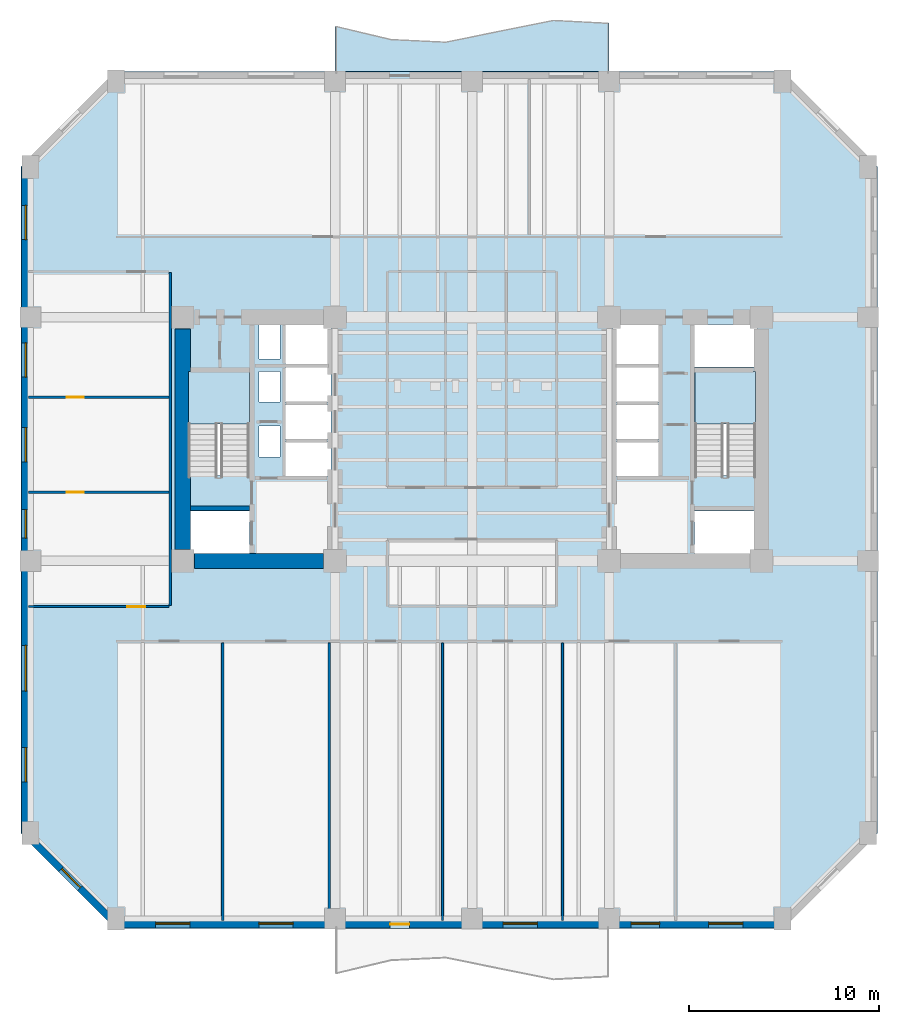
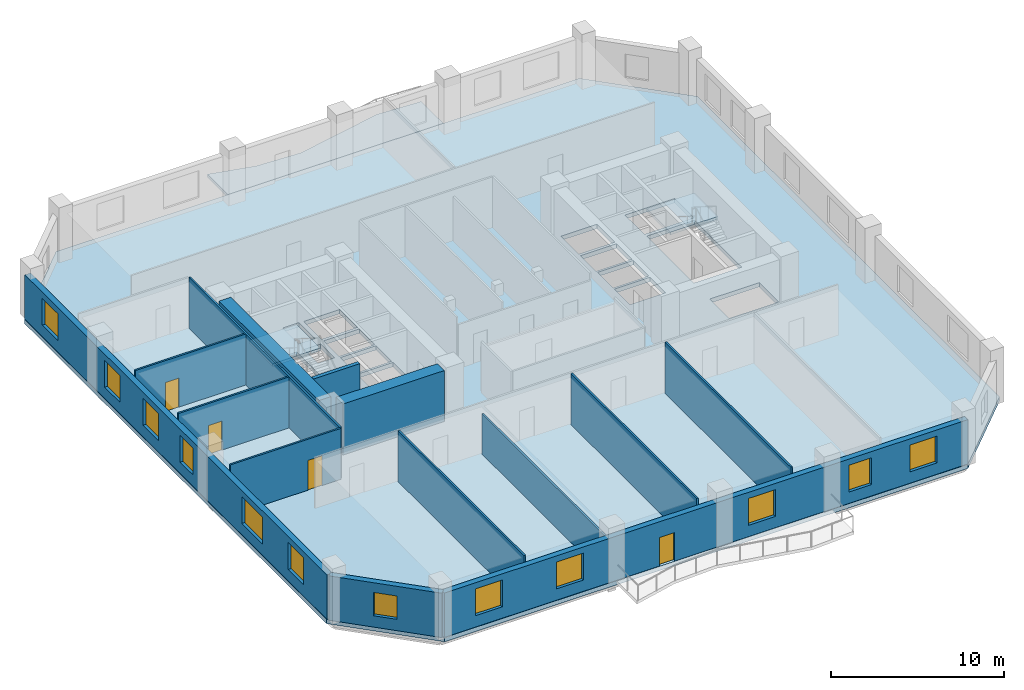
# One storey, part 2 of 10: 14 walls, 12 windows, 4 doors, 4 slabs, 16 openings, 2 elements without a shape of their own.
"""IFC4 building model written with IfcOpenShell, lengths in metres."""

from ifc_helpers import new_model, si_unit, direction, frame, frame_2d, origin, place, context, subcontext, project, spatial, polyline, rectangle, outline, extrude, material, layer, layer_set, type_object, element, fill, aggregate, save


model = new_model("IFC4")

# Units and contexts
model_context = context("Model", 3, precision=1e-05, world=origin(), true_north=direction((0.0, 1.0)))
body_context = subcontext(model_context, "Body", "Model", "MODEL_VIEW")
ifc_project = project(units=[si_unit("LENGTHUNIT", "METRE"), si_unit("AREAUNIT", "SQUARE_METRE"), si_unit("VOLUMEUNIT", "CUBIC_METRE"), si_unit("PLANEANGLEUNIT", "RADIAN"), si_unit("MASSUNIT", "GRAM", prefix="KILO")], contexts=[model_context])

# Site, building, storey
site_placement = place(None, origin())
site = spatial("IfcSite", under=ifc_project, at=site_placement, CompositionType="ELEMENT")
building_placement = place(site_placement, origin())
building = spatial("IfcBuilding", under=site, at=building_placement, Name="Kranthara Brick Stack", CompositionType="ELEMENT")
storey_placement = place(building_placement, frame((0.0, 0.0, 36.0)))
storey = spatial("IfcBuildingStorey", under=building, at=storey_placement, Name="L08", CompositionType="ELEMENT", Elevation=36.0)

# Slab
ifc_material_1 = material(Name="Concrete C45/55", Category="concrete")
ifc_layer_1 = layer(ifc_material_1, 0.219970703125)
ifc_layer_set_1 = layer_set([ifc_layer_1], Name="Concrete C45/55")
slab_type_1 = type_object("IfcSlabType", Name="SLB-BALC-220", PredefinedType="FLOOR", material=ifc_layer_set_1)
slab_1_placement = place(storey_placement, frame((0.0, 0.0, -0.219970703125)))
element("IfcSlab", 1, at=slab_1_placement, inside=storey, type_object=slab_type_1, Name="L08 North Rippling Balcony Slab", PredefinedType="FLOOR", context=body_context, shape_type="SweptSolid", body=[
    extrude(outline(polyline([(35.199951171875, 46.5), (20.800048828125, 46.5), (20.800048828125, 48.879150390625), (23.679931640625, 48.189208984375), (26.56005859375, 48.04736328125), (29.43994140625, 48.6318359375), (32.320068359375, 49.207763671875), (35.199951171875, 49.05078125), (35.199951171875, 46.5)])), origin(), (0.0, 0.0, 1.0), 0.219970703125),
])

# Stair, slab
ifc_material_2 = material(Name="Concrete C45/55", Category="concrete")
stair_type = type_object("IfcStairType", Name="ST-CORE-22R", PredefinedType="HALF_TURN_STAIR", material=ifc_material_2)
stair_1_placement = place(storey_placement, origin())
stair_1 = element("IfcStair", 2, at=stair_1_placement, inside=storey, type_object=stair_type, Name="L08 West Core Protected Exit Stair ST01", PredefinedType="HALF_TURN_STAIR")
ifc_material_3 = material(Name="Concrete C45/55", Category="concrete")
ifc_layer_2 = layer(ifc_material_3, 0.199951171875)
ifc_layer_set_2 = layer_set([ifc_layer_2], Name="Concrete C45/55")
slab_type_2 = type_object("IfcSlabType", Name="SLB-LANDING-200", PredefinedType="LANDING", material=ifc_layer_set_2)
slab_2_placement = place(storey_placement, frame((0.0, 0.0, 1.75)))
slab_2 = element("IfcSlab", 3, at=slab_2_placement, type_object=slab_type_2, Name="ST01 landing 1", PredefinedType="LANDING", context=body_context, shape_type="SweptSolid", body=[
    extrude(outline(polyline([(16.300048828125, 28.0), (16.300048828125, 30.75), (13.10009765625, 30.75), (13.10009765625, 28.0), (16.300048828125, 28.0)])), origin(), (0.0, 0.0, 1.0), 0.199951171875),
])
aggregate(stair_1, [slab_2])

stair_2_placement = place(storey_placement, origin())
stair_2 = element("IfcStair", 4, at=stair_2_placement, inside=storey, type_object=stair_type, Name="L08 East Core Protected Exit Stair ST02", PredefinedType="HALF_TURN_STAIR")
slab_3_placement = place(storey_placement, frame((0.0, 0.0, 1.75)))
slab_3 = element("IfcSlab", 5, at=slab_3_placement, type_object=slab_type_2, Name="ST02 landing 1", PredefinedType="LANDING", context=body_context, shape_type="SweptSolid", body=[
    extrude(outline(polyline([(42.89990234375, 28.0), (42.89990234375, 30.75), (39.699951171875, 30.75), (39.699951171875, 28.0), (42.89990234375, 28.0)])), origin(), (0.0, 0.0, 1.0), 0.199951171875),
])
aggregate(stair_2, [slab_3])

# Slab
ifc_material_4 = material(Name="Post-tensioned concrete C45/55", Category="concrete")
ifc_layer_3 = layer(ifc_material_4, 0.300048828125)
ifc_layer_set_3 = layer_set([ifc_layer_3], Name="Post-tensioned concrete C45/55")
slab_type_3 = type_object("IfcSlabType", Name="SLB-TWR-300", PredefinedType="FLOOR", material=ifc_layer_set_3)
slab_4_placement = place(storey_placement, frame((0.0, 0.0, -0.300048828125)))
element("IfcSlab", 6, at=slab_4_placement, inside=storey, type_object=slab_type_3, Name="L08 Structural Floor Plate", PredefinedType="FLOOR", context=body_context, shape_type="SweptSolid", body=[
    extrude(outline(polyline([(9.300048828125, 1.5), (44.300048828125, 1.5), (49.300048828125, 6.5), (49.300048828125, 41.5), (44.300048828125, 46.5), (9.300048828125, 46.5), (4.300048828125, 41.5), (4.300048828125, 6.5), (9.300048828125, 1.5)]), holes=[polyline([(13.10009765625, 25.280029296875), (16.300048828125, 25.280029296875), (16.300048828125, 30.75), (13.10009765625, 30.75), (13.10009765625, 25.280029296875)]), polyline([(39.699951171875, 25.280029296875), (42.89990234375, 25.280029296875), (42.89990234375, 30.75), (39.699951171875, 30.75), (39.699951171875, 25.280029296875)]), polyline([(13.0, 21.179931640625), (16.320068359375, 21.179931640625), (16.320068359375, 23.419921875), (13.0, 23.419921875), (13.0, 21.179931640625)]), polyline([(39.679931640625, 21.179931640625), (43.0, 21.179931640625), (43.0, 23.419921875), (39.679931640625, 23.419921875), (39.679931640625, 21.179931640625)]), polyline([(39.679931640625, 30.97998046875), (43.0, 30.97998046875), (43.0, 33.219970703125), (39.679931640625, 33.219970703125), (39.679931640625, 30.97998046875)]), polyline([(18.199951171875, 25.25), (20.60009765625, 25.25), (20.60009765625, 27.050048828125), (18.199951171875, 27.050048828125), (18.199951171875, 25.25)]), polyline([(18.199951171875, 27.199951171875), (20.60009765625, 27.199951171875), (20.60009765625, 29.0), (18.199951171875, 29.0), (18.199951171875, 27.199951171875)]), polyline([(18.199951171875, 29.14990234375), (20.60009765625, 29.14990234375), (20.60009765625, 30.949951171875), (18.199951171875, 30.949951171875), (18.199951171875, 29.14990234375)]), polyline([(35.39990234375, 25.25), (37.800048828125, 25.25), (37.800048828125, 27.050048828125), (35.39990234375, 27.050048828125), (35.39990234375, 25.25)]), polyline([(35.39990234375, 27.199951171875), (37.800048828125, 27.199951171875), (37.800048828125, 29.0), (35.39990234375, 29.0), (35.39990234375, 27.199951171875)]), polyline([(35.39990234375, 29.14990234375), (37.800048828125, 29.14990234375), (37.800048828125, 30.949951171875), (35.39990234375, 30.949951171875), (35.39990234375, 29.14990234375)]), polyline([(18.199951171875, 31.14990234375), (20.60009765625, 31.14990234375), (20.60009765625, 33.219970703125), (18.199951171875, 33.219970703125), (18.199951171875, 31.14990234375)]), polyline([(35.39990234375, 31.14990234375), (37.800048828125, 31.14990234375), (37.800048828125, 33.219970703125), (35.39990234375, 33.219970703125), (35.39990234375, 31.14990234375)]), polyline([(16.800048828125, 26.25), (17.89990234375, 26.25), (17.89990234375, 27.89990234375), (16.800048828125, 27.89990234375), (16.800048828125, 26.25)]), polyline([(16.800048828125, 29.14990234375), (17.89990234375, 29.14990234375), (17.89990234375, 30.75), (16.800048828125, 30.75), (16.800048828125, 29.14990234375)]), polyline([(16.800048828125, 31.39990234375), (17.89990234375, 31.39990234375), (17.89990234375, 33.25), (16.800048828125, 33.25), (16.800048828125, 31.39990234375)])]), origin(), (0.0, 0.0, 1.0), 0.300048828125),
])

# Wall, openings, door, windows
ifc_material_5 = material(Name="Kiln-fired clay brick masonry M15", Category="masonry")
ifc_layer_4 = layer(ifc_material_5, 0.3798828125)
ifc_layer_set_4 = layer_set([ifc_layer_4], Name="Kiln-fired clay brick masonry M15")
wall_type_1 = type_object("IfcWallType", Name="WL-BRK-PIER-380", PredefinedType="STANDARD", material=ifc_layer_set_4)
wall_1_placement = place(storey_placement, frame((44.300048828125, 1.7099609375, 0.0), z_axis=(0.0, 0.0, 1.0), x_axis=(-1.0, 0.0, 0.0)))
wall_1 = element("IfcWall", 7, at=wall_1_placement, inside=storey, type_object=wall_type_1, Name="L08 Exterior Brick Facade Wall SOUTH 1", PredefinedType="STANDARD", context=body_context, shape_type="SweptSolid", body=[
    extrude(rectangle(XDim=35.0, YDim=0.3798828125, at=frame_2d((17.5, 0.0))), origin(), (0.0, 0.0, 1.0), 3.135009765625),
])
opening_1_placement = place(wall_1_placement, frame((19.60009765625, 0.0, 0.0)))
opening_1 = element("IfcOpeningElement", 8, at=opening_1_placement, cuts=wall_1, Name="Opening D03", PredefinedType="OPENING", context=body_context, shape_type="SweptSolid", body=[
    extrude(rectangle(XDim=1.0, YDim=2.02001953125, at=frame_2d((0.5, 1.010009765625))), frame((0.0, 0.199951171875, 0.0), z_axis=(0.0, -1.0, 0.0), x_axis=(1.0, 0.0, 0.0)), (0.0, 0.0, 1.0), 0.39990234375),
])
opening_2_placement = place(wall_1_placement, frame((2.074951171875, 0.0, 0.800048828125)))
opening_2 = element("IfcOpeningElement", 9, at=opening_2_placement, cuts=wall_1, Name="Opening WN01", PredefinedType="OPENING", context=body_context, shape_type="SweptSolid", body=[
    extrude(rectangle(XDim=1.800048828125, YDim=1.89990234375, at=frame_2d((0.89990234375, 0.949951171875))), frame((0.0, 0.199951171875, 0.0), z_axis=(0.0, -1.0, 0.0), x_axis=(1.0, 0.0, 0.0)), (0.0, 0.0, 1.0), 0.39990234375),
])
opening_3_placement = place(wall_1_placement, frame((6.449951171875, 0.0, 0.800048828125)))
opening_3 = element("IfcOpeningElement", 10, at=opening_3_placement, cuts=wall_1, Name="Opening WN03", PredefinedType="OPENING", context=body_context, shape_type="SweptSolid", body=[
    extrude(rectangle(XDim=1.5, YDim=1.89990234375, at=frame_2d((0.75, 0.949951171875))), frame((0.0, 0.199951171875, 0.0), z_axis=(0.0, -1.0, 0.0), x_axis=(1.0, 0.0, 0.0)), (0.0, 0.0, 1.0), 0.39990234375),
])
opening_4_placement = place(wall_1_placement, frame((12.875, 0.0, 0.800048828125)))
opening_4 = element("IfcOpeningElement", 11, at=opening_4_placement, cuts=wall_1, Name="Opening WN01", PredefinedType="OPENING", context=body_context, shape_type="SweptSolid", body=[
    extrude(rectangle(XDim=1.800048828125, YDim=1.89990234375, at=frame_2d((0.89990234375, 0.949951171875))), frame((0.0, 0.199951171875, 0.0), z_axis=(0.0, -1.0, 0.0), x_axis=(1.0, 0.0, 0.0)), (0.0, 0.0, 1.0), 0.39990234375),
])
opening_5_placement = place(wall_1_placement, frame((25.699951171875, 0.0, 0.800048828125)))
opening_5 = element("IfcOpeningElement", 12, at=opening_5_placement, cuts=wall_1, Name="Opening WN01", PredefinedType="OPENING", context=body_context, shape_type="SweptSolid", body=[
    extrude(rectangle(XDim=1.800048828125, YDim=1.89990234375, at=frame_2d((0.89990234375, 0.949951171875))), frame((0.0, 0.199951171875, 0.0), z_axis=(0.0, -1.0, 0.0), x_axis=(1.0, 0.0, 0.0)), (0.0, 0.0, 1.0), 0.39990234375),
])
opening_6_placement = place(wall_1_placement, frame((31.125, 0.0, 0.800048828125)))
opening_6 = element("IfcOpeningElement", 13, at=opening_6_placement, cuts=wall_1, Name="Opening WN01", PredefinedType="OPENING", context=body_context, shape_type="SweptSolid", body=[
    extrude(rectangle(XDim=1.800048828125, YDim=1.89990234375, at=frame_2d((0.89990234375, 0.949951171875))), frame((0.0, 0.199951171875, 0.0), z_axis=(0.0, -1.0, 0.0), x_axis=(1.0, 0.0, 0.0)), (0.0, 0.0, 1.0), 0.39990234375),
])
ifc_material_6 = material(Name="Bronze anodised aluminium and laminated glass", Category="aluminium")
door_type_1 = type_object("IfcDoorType", Name="DR-BALC-1000", OperationType="NOTDEFINED", PredefinedType="DOOR", material=ifc_material_6)
door_1_placement = place(opening_1_placement, origin())
door_1 = element("IfcDoor", 14, at=door_1_placement, inside=storey, type_object=door_type_1, Name="L08 South Balcony Terrace Door", OperationType="SINGLE_SWING_LEFT", OverallHeight=2.02001953125, OverallWidth=1.0, PredefinedType="DOOR", context=body_context, shape_type="SweptSolid", body=[
    extrude(rectangle(XDim=1.0, YDim=2.02001953125, at=frame_2d((0.5, 1.010009765625))), frame((0.0, 0.02490234375, 0.0), z_axis=(0.0, -1.0, 0.0), x_axis=(1.0, 0.0, 0.0)), (0.0, 0.0, 1.0), 0.050048828125),
])
fill(opening_1, door_1)
ifc_material_7 = material(Name="Double-glazed low-E solar control glass", Category="glass")
window_type_1 = type_object("IfcWindowType", Name="WN-OFF-1500x2000", PartitioningType="SINGLE_PANEL", PredefinedType="WINDOW", material=ifc_material_7)
window_1_placement = place(opening_3_placement, origin())
window_1 = element("IfcWindow", 15, at=window_1_placement, inside=storey, type_object=window_type_1, Name="L08 South Deep-Set Brick Window 02", OverallHeight=1.89990234375, OverallWidth=1.5, PartitioningType="SINGLE_PANEL", PredefinedType="WINDOW", context=body_context, shape_type="SweptSolid", body=[
    extrude(rectangle(XDim=1.5, YDim=1.89990234375, at=frame_2d((0.75, 0.949951171875))), frame((0.0, -0.010009765625, 0.0), z_axis=(0.0, -1.0, 0.0), x_axis=(1.0, 0.0, 0.0)), (0.0, 0.0, 1.0), 0.06005859375),
])
fill(opening_3, window_1)
ifc_material_8 = material(Name="Double-glazed low-E solar control glass", Category="glass")
window_type_2 = type_object("IfcWindowType", Name="WN-OFF-1800x2000", PartitioningType="SINGLE_PANEL", PredefinedType="WINDOW", material=ifc_material_8)
window_2_placement = place(opening_2_placement, origin())
window_2 = element("IfcWindow", 16, at=window_2_placement, inside=storey, type_object=window_type_2, Name="L08 South Deep-Set Brick Window 01", OverallHeight=1.89990234375, OverallWidth=1.800048828125, PartitioningType="SINGLE_PANEL", PredefinedType="WINDOW", context=body_context, shape_type="SweptSolid", body=[
    extrude(rectangle(XDim=1.800048828125, YDim=1.89990234375, at=frame_2d((0.89990234375, 0.949951171875))), frame((0.0, -0.010009765625, 0.0), z_axis=(0.0, -1.0, 0.0), x_axis=(1.0, 0.0, 0.0)), (0.0, 0.0, 1.0), 0.06005859375),
])
fill(opening_2, window_2)
window_3_placement = place(opening_4_placement, origin())
window_3 = element("IfcWindow", 17, at=window_3_placement, inside=storey, type_object=window_type_2, Name="L08 South Deep-Set Brick Window 03", OverallHeight=1.89990234375, OverallWidth=1.800048828125, PartitioningType="SINGLE_PANEL", PredefinedType="WINDOW", context=body_context, shape_type="SweptSolid", body=[
    extrude(rectangle(XDim=1.800048828125, YDim=1.89990234375, at=frame_2d((0.89990234375, 0.949951171875))), frame((0.0, -0.010009765625, 0.0), z_axis=(0.0, -1.0, 0.0), x_axis=(1.0, 0.0, 0.0)), (0.0, 0.0, 1.0), 0.06005859375),
])
fill(opening_4, window_3)
window_4_placement = place(opening_5_placement, origin())
window_4 = element("IfcWindow", 18, at=window_4_placement, inside=storey, type_object=window_type_2, Name="L08 South Deep-Set Brick Window 04", OverallHeight=1.89990234375, OverallWidth=1.800048828125, PartitioningType="SINGLE_PANEL", PredefinedType="WINDOW", context=body_context, shape_type="SweptSolid", body=[
    extrude(rectangle(XDim=1.800048828125, YDim=1.89990234375, at=frame_2d((0.89990234375, 0.949951171875))), frame((0.0, -0.010009765625, 0.0), z_axis=(0.0, -1.0, 0.0), x_axis=(1.0, 0.0, 0.0)), (0.0, 0.0, 1.0), 0.06005859375),
])
fill(opening_5, window_4)
window_5_placement = place(opening_6_placement, origin())
window_5 = element("IfcWindow", 19, at=window_5_placement, inside=storey, type_object=window_type_2, Name="L08 South Deep-Set Brick Window 05", OverallHeight=1.89990234375, OverallWidth=1.800048828125, PartitioningType="SINGLE_PANEL", PredefinedType="WINDOW", context=body_context, shape_type="SweptSolid", body=[
    extrude(rectangle(XDim=1.800048828125, YDim=1.89990234375, at=frame_2d((0.89990234375, 0.949951171875))), frame((0.0, -0.010009765625, 0.0), z_axis=(0.0, -1.0, 0.0), x_axis=(1.0, 0.0, 0.0)), (0.0, 0.0, 1.0), 0.06005859375),
])
fill(opening_6, window_5)

# Wall, opening, window
wall_2_placement = place(storey_placement, frame((9.300048828125, 1.7099609375, 0.0), z_axis=(0.0, 0.0, 1.0), x_axis=(-0.707106781187, 0.707106781187, 0.0)))
wall_2 = element("IfcWall", 20, at=wall_2_placement, inside=storey, type_object=wall_type_1, Name="L08 Exterior Brick Facade Wall SW 1", PredefinedType="STANDARD", context=body_context, shape_type="SweptSolid", body=[
    extrude(rectangle(XDim=6.774169921875, YDim=0.3798828125, at=frame_2d((3.38720703125, 0.0))), origin(), (0.0, 0.0, 1.0), 3.135009765625),
])
opening_7_placement = place(wall_2_placement, frame((2.68701171875, 0.0, 0.800048828125)))
opening_7 = element("IfcOpeningElement", 21, at=opening_7_placement, cuts=wall_2, Name="Opening WN10", PredefinedType="OPENING", context=body_context, shape_type="SweptSolid", body=[
    extrude(rectangle(XDim=1.39990234375, YDim=1.64990234375, at=frame_2d((0.699951171875, 0.824951171875))), frame((0.0, 0.199951171875, 0.0), z_axis=(0.0, -1.0, 0.0), x_axis=(1.0, 0.0, 0.0)), (0.0, 0.0, 1.0), 0.39990234375),
])
ifc_material_9 = material(Name="Double-glazed low-E solar control glass", Category="glass")
window_type_3 = type_object("IfcWindowType", Name="WN-CHM-1400x1750", PartitioningType="SINGLE_PANEL", PredefinedType="WINDOW", material=ifc_material_9)
window_6_placement = place(opening_7_placement, origin())
window_6 = element("IfcWindow", 22, at=window_6_placement, inside=storey, type_object=window_type_3, Name="L08 SW Chamfer Corner Window", OverallHeight=1.64990234375, OverallWidth=1.39990234375, PartitioningType="SINGLE_PANEL", PredefinedType="WINDOW", context=body_context, shape_type="SweptSolid", body=[
    extrude(rectangle(XDim=1.39990234375, YDim=1.64990234375, at=frame_2d((0.699951171875, 0.824951171875))), frame((0.0, -0.010009765625, 0.0), z_axis=(0.0, -1.0, 0.0), x_axis=(1.0, 0.0, 0.0)), (0.0, 0.0, 1.0), 0.06005859375),
])
fill(opening_7, window_6)

# Wall, openings, windows
wall_3_placement = place(storey_placement, frame((4.510009765625, 6.5, 0.0), z_axis=(0.0, 0.0, 1.0), x_axis=(0.0, 1.0, 0.0)))
wall_3 = element("IfcWall", 23, at=wall_3_placement, inside=storey, type_object=wall_type_1, Name="L08 Exterior Brick Facade Wall WEST 1", PredefinedType="STANDARD", context=body_context, shape_type="SweptSolid", body=[
    extrude(rectangle(XDim=35.0, YDim=0.3798828125, at=frame_2d((17.5, 0.0))), origin(), (0.0, 0.0, 1.0), 3.135009765625),
])
opening_8_placement = place(wall_3_placement, frame((2.693115234375, 0.0, 0.800048828125)))
opening_8 = element("IfcOpeningElement", 24, at=opening_8_placement, cuts=wall_3, Name="Opening WN01", PredefinedType="OPENING", context=body_context, shape_type="SweptSolid", body=[
    extrude(rectangle(XDim=1.800048828125, YDim=1.89990234375, at=frame_2d((0.89990234375, 0.949951171875))), frame((0.0, 0.199951171875, 0.0), z_axis=(0.0, -1.0, 0.0), x_axis=(1.0, 0.0, 0.0)), (0.0, 0.0, 1.0), 0.39990234375),
])
opening_9_placement = place(wall_3_placement, frame((7.45703125, 0.0, 0.800048828125)))
opening_9 = element("IfcOpeningElement", 25, at=opening_9_placement, cuts=wall_3, Name="Opening WN02", PredefinedType="OPENING", context=body_context, shape_type="SweptSolid", body=[
    extrude(rectangle(XDim=2.39990234375, YDim=1.89990234375, at=frame_2d((1.199951171875, 0.949951171875))), frame((0.0, 0.199951171875, 0.0), z_axis=(0.0, -1.0, 0.0), x_axis=(1.0, 0.0, 0.0)), (0.0, 0.0, 1.0), 0.39990234375),
])
opening_10_placement = place(wall_3_placement, frame((15.5, 0.0, 0.800048828125)))
opening_10 = element("IfcOpeningElement", 26, at=opening_10_placement, cuts=wall_3, Name="Opening WN03", PredefinedType="OPENING", context=body_context, shape_type="SweptSolid", body=[
    extrude(rectangle(XDim=1.5, YDim=1.89990234375, at=frame_2d((0.75, 0.949951171875))), frame((0.0, 0.199951171875, 0.0), z_axis=(0.0, -1.0, 0.0), x_axis=(1.0, 0.0, 0.0)), (0.0, 0.0, 1.0), 0.39990234375),
])
opening_11_placement = place(wall_3_placement, frame((19.5, 0.0, 0.800048828125)))
opening_11 = element("IfcOpeningElement", 27, at=opening_11_placement, cuts=wall_3, Name="Opening WN01", PredefinedType="OPENING", context=body_context, shape_type="SweptSolid", body=[
    extrude(rectangle(XDim=1.800048828125, YDim=1.89990234375, at=frame_2d((0.89990234375, 0.949951171875))), frame((0.0, 0.199951171875, 0.0), z_axis=(0.0, -1.0, 0.0), x_axis=(1.0, 0.0, 0.0)), (0.0, 0.0, 1.0), 0.39990234375),
])
opening_12_placement = place(wall_3_placement, frame((23.949951171875, 0.0, 0.800048828125)))
opening_12 = element("IfcOpeningElement", 28, at=opening_12_placement, cuts=wall_3, Name="Opening WN01", PredefinedType="OPENING", context=body_context, shape_type="SweptSolid", body=[
    extrude(rectangle(XDim=1.800048828125, YDim=1.89990234375, at=frame_2d((0.89990234375, 0.949951171875))), frame((0.0, 0.199951171875, 0.0), z_axis=(0.0, -1.0, 0.0), x_axis=(1.0, 0.0, 0.0)), (0.0, 0.0, 1.0), 0.39990234375),
])
opening_13_placement = place(wall_3_placement, frame((31.175048828125, 0.0, 0.800048828125)))
opening_13 = element("IfcOpeningElement", 29, at=opening_13_placement, cuts=wall_3, Name="Opening WN01", PredefinedType="OPENING", context=body_context, shape_type="SweptSolid", body=[
    extrude(rectangle(XDim=1.800048828125, YDim=1.89990234375, at=frame_2d((0.89990234375, 0.949951171875))), frame((0.0, 0.199951171875, 0.0), z_axis=(0.0, -1.0, 0.0), x_axis=(1.0, 0.0, 0.0)), (0.0, 0.0, 1.0), 0.39990234375),
])
window_7_placement = place(opening_10_placement, origin())
window_7 = element("IfcWindow", 30, at=window_7_placement, inside=storey, type_object=window_type_1, Name="L08 West Deep-Set Brick Window 03", OverallHeight=1.89990234375, OverallWidth=1.5, PartitioningType="SINGLE_PANEL", PredefinedType="WINDOW", context=body_context, shape_type="SweptSolid", body=[
    extrude(rectangle(XDim=1.5, YDim=1.89990234375, at=frame_2d((0.75, 0.949951171875))), frame((0.0, -0.010009765625, 0.0), z_axis=(0.0, -1.0, 0.0), x_axis=(1.0, 0.0, 0.0)), (0.0, 0.0, 1.0), 0.06005859375),
])
fill(opening_10, window_7)
window_8_placement = place(opening_8_placement, origin())
window_8 = element("IfcWindow", 31, at=window_8_placement, inside=storey, type_object=window_type_2, Name="L08 West Deep-Set Brick Window 01", OverallHeight=1.89990234375, OverallWidth=1.800048828125, PartitioningType="SINGLE_PANEL", PredefinedType="WINDOW", context=body_context, shape_type="SweptSolid", body=[
    extrude(rectangle(XDim=1.800048828125, YDim=1.89990234375, at=frame_2d((0.89990234375, 0.949951171875))), frame((0.0, -0.010009765625, 0.0), z_axis=(0.0, -1.0, 0.0), x_axis=(1.0, 0.0, 0.0)), (0.0, 0.0, 1.0), 0.06005859375),
])
fill(opening_8, window_8)
window_9_placement = place(opening_11_placement, origin())
window_9 = element("IfcWindow", 32, at=window_9_placement, inside=storey, type_object=window_type_2, Name="L08 West Deep-Set Brick Window 04", OverallHeight=1.89990234375, OverallWidth=1.800048828125, PartitioningType="SINGLE_PANEL", PredefinedType="WINDOW", context=body_context, shape_type="SweptSolid", body=[
    extrude(rectangle(XDim=1.800048828125, YDim=1.89990234375, at=frame_2d((0.89990234375, 0.949951171875))), frame((0.0, -0.010009765625, 0.0), z_axis=(0.0, -1.0, 0.0), x_axis=(1.0, 0.0, 0.0)), (0.0, 0.0, 1.0), 0.06005859375),
])
fill(opening_11, window_9)
window_10_placement = place(opening_12_placement, origin())
window_10 = element("IfcWindow", 33, at=window_10_placement, inside=storey, type_object=window_type_2, Name="L08 West Deep-Set Brick Window 05", OverallHeight=1.89990234375, OverallWidth=1.800048828125, PartitioningType="SINGLE_PANEL", PredefinedType="WINDOW", context=body_context, shape_type="SweptSolid", body=[
    extrude(rectangle(XDim=1.800048828125, YDim=1.89990234375, at=frame_2d((0.89990234375, 0.949951171875))), frame((0.0, -0.010009765625, 0.0), z_axis=(0.0, -1.0, 0.0), x_axis=(1.0, 0.0, 0.0)), (0.0, 0.0, 1.0), 0.06005859375),
])
fill(opening_12, window_10)
window_11_placement = place(opening_13_placement, origin())
window_11 = element("IfcWindow", 34, at=window_11_placement, inside=storey, type_object=window_type_2, Name="L08 West Deep-Set Brick Window 06", OverallHeight=1.89990234375, OverallWidth=1.800048828125, PartitioningType="SINGLE_PANEL", PredefinedType="WINDOW", context=body_context, shape_type="SweptSolid", body=[
    extrude(rectangle(XDim=1.800048828125, YDim=1.89990234375, at=frame_2d((0.89990234375, 0.949951171875))), frame((0.0, -0.010009765625, 0.0), z_axis=(0.0, -1.0, 0.0), x_axis=(1.0, 0.0, 0.0)), (0.0, 0.0, 1.0), 0.06005859375),
])
fill(opening_13, window_11)
ifc_material_10 = material(Name="Double-glazed low-E solar control glass", Category="glass")
window_type_4 = type_object("IfcWindowType", Name="WN-OFF-2400x2000", PartitioningType="DOUBLE_PANEL_VERTICAL", PredefinedType="WINDOW", material=ifc_material_10)
window_12_placement = place(opening_9_placement, origin())
window_12 = element("IfcWindow", 35, at=window_12_placement, inside=storey, type_object=window_type_4, Name="L08 West Deep-Set Brick Window 02", OverallHeight=1.89990234375, OverallWidth=2.39990234375, PartitioningType="SINGLE_PANEL", PredefinedType="WINDOW", context=body_context, shape_type="SweptSolid", body=[
    extrude(rectangle(XDim=2.39990234375, YDim=1.89990234375, at=frame_2d((1.199951171875, 0.949951171875))), frame((0.0, -0.010009765625, 0.0), z_axis=(0.0, -1.0, 0.0), x_axis=(1.0, 0.0, 0.0)), (0.0, 0.0, 1.0), 0.06005859375),
])
fill(opening_9, window_12)

# Walls
ifc_material_11 = material(Name="Concrete C50/60", Category="concrete")
ifc_layer_5 = layer(ifc_material_11, 0.25)
ifc_layer_set_5 = layer_set([ifc_layer_5], Name="Concrete C50/60")
wall_type_2 = type_object("IfcWallType", Name="WL-CORE-250", PredefinedType="SHEAR", material=ifc_layer_set_5)
wall_4_placement = place(storey_placement, frame((13.2099609375, 23.570068359375, 0.0), z_axis=(0.0, 0.0, 1.0), x_axis=(1.0, 0.0, 0.0)))
element("IfcWall", 36, at=wall_4_placement, inside=storey, type_object=wall_type_2, Name="L08 West Stairwell Bearing Wall WFF", PredefinedType="SHEAR", context=body_context, shape_type="SweptSolid", body=[
    extrude(rectangle(XDim=3.10009765625, YDim=0.25, at=frame_2d((1.550048828125, 0.0))), origin(), (0.0, 0.0, 1.0), 3.60009765625),
])
ifc_material_12 = material(Name="Concrete C70/85", Category="concrete")
ifc_layer_6 = layer(ifc_material_12, 0.800048828125)
ifc_layer_set_6 = layer_set([ifc_layer_6], Name="Concrete C70/85")
wall_type_3 = type_object("IfcWallType", Name="WL-CORE-800", PredefinedType="SHEAR", material=ifc_layer_set_6)
wall_5_placement = place(storey_placement, frame((12.800048828125, 21.405029296875, 0.0), z_axis=(0.0, 0.0, 1.0), x_axis=(0.0, 1.0, 0.0)))
element("IfcWall", 37, at=wall_5_placement, inside=storey, type_object=wall_type_3, Name="L08 West Core Shear Wall West", PredefinedType="SHEAR", context=body_context, shape_type="SweptSolid", body=[
    extrude(rectangle(XDim=11.590087890625, YDim=0.800048828125, at=frame_2d((5.794921875, 0.0))), origin(), (0.0, 0.0, 1.0), 3.60009765625),
])
wall_6_placement = place(storey_placement, frame((13.405029296875, 20.800048828125, 0.0), z_axis=(0.0, 0.0, 1.0), x_axis=(1.0, 0.0, 0.0)))
element("IfcWall", 38, at=wall_6_placement, inside=storey, type_object=wall_type_3, Name="L08 West Core Shear Wall South", PredefinedType="SHEAR", context=body_context, shape_type="SweptSolid", body=[
    extrude(rectangle(XDim=6.7900390625, YDim=0.800048828125, at=frame_2d((3.39501953125, 0.0))), origin(), (0.0, 0.0, 1.0), 3.60009765625),
])
ifc_material_13 = material(Name="Acoustic gypsum plasterboard partition", Category="other")
ifc_layer_7 = layer(ifc_material_13, 0.1201171875)
ifc_layer_set_7 = layer_set([ifc_layer_7], Name="Acoustic gypsum plasterboard partition")
wall_type_4 = type_object("IfcWallType", Name="WL-PART-120", PredefinedType="PARTITIONING", material=ifc_layer_set_7)
wall_7_placement = place(storey_placement, frame((14.89990234375, 1.905029296875, 0.0), z_axis=(0.0, 0.0, 1.0), x_axis=(0.0, 1.0, 0.0)))
element("IfcWall", 39, at=wall_7_placement, inside=storey, type_object=wall_type_4, Name="L08 Interior Partition 016", PredefinedType="PARTITIONING", context=body_context, shape_type="SweptSolid", body=[
    extrude(rectangle(XDim=14.574951171875, YDim=0.1201171875, at=frame_2d((7.28759765625, 0.0))), origin(), (0.0, 0.0, 1.0), 3.60009765625),
])
wall_8_placement = place(storey_placement, frame((20.5, 1.905029296875, 0.0), z_axis=(0.0, 0.0, 1.0), x_axis=(0.0, 1.0, 0.0)))
element("IfcWall", 40, at=wall_8_placement, inside=storey, type_object=wall_type_4, Name="L08 Interior Partition 017", PredefinedType="PARTITIONING", context=body_context, shape_type="SweptSolid", body=[
    extrude(rectangle(XDim=14.574951171875, YDim=0.1201171875, at=frame_2d((7.28759765625, 0.0))), origin(), (0.0, 0.0, 1.0), 2.8349609375),
])
for number, where, z_axis, x_axis, name in (
    (41, (26.449951171875, 1.905029296875, 0.0), (0.0, 0.0, 1.0), (0.0, 1.0, 0.0), "L08 Interior Partition 018"),
    (42, (32.75, 1.905029296875, 0.0), (0.0, 0.0, 1.0), (0.0, 1.0, 0.0), "L08 Interior Partition 019"),
):
    element("IfcWall", number, at=place(storey_placement, frame(where, z_axis=z_axis, x_axis=x_axis)), inside=storey, type_object=wall_type_4, Name=name, PredefinedType="PARTITIONING", context=body_context, shape_type="SweptSolid", body=[
        extrude(rectangle(XDim=14.574951171875, YDim=0.1201171875, at=frame_2d((7.28759765625, 0.0))), origin(), (0.0, 0.0, 1.0), 3.60009765625),
    ])
wall_9_placement = place(storey_placement, frame((12.14990234375, 18.449951171875, 0.0), z_axis=(0.0, 0.0, 1.0), x_axis=(0.0, 1.0, 0.0)))
element("IfcWall", 43, at=wall_9_placement, inside=storey, type_object=wall_type_4, Name="L08 Interior Partition 023", PredefinedType="PARTITIONING", context=body_context, shape_type="SweptSolid", body=[
    extrude(rectangle(XDim=17.5, YDim=0.1201171875, at=frame_2d((8.75, 0.0))), origin(), (0.0, 0.0, 1.0), 3.60009765625),
])

# Wall, opening, door
wall_10_placement = place(storey_placement, frame((4.705078125, 18.39990234375, 0.0), z_axis=(0.0, 0.0, 1.0), x_axis=(1.0, 0.0, 0.0)))
wall_10 = element("IfcWall", 44, at=wall_10_placement, inside=storey, type_object=wall_type_4, Name="L08 Interior Partition 024", PredefinedType="PARTITIONING", context=body_context, shape_type="SweptSolid", body=[
    extrude(rectangle(XDim=7.3798828125, YDim=0.1201171875, at=frame_2d((3.68994140625, 0.0))), origin(), (0.0, 0.0, 1.0), 3.60009765625),
])
opening_14_placement = place(wall_10_placement, frame((5.179931640625, 0.0, 0.0)))
opening_14 = element("IfcOpeningElement", 45, at=opening_14_placement, cuts=wall_10, Name="Opening D14", PredefinedType="OPENING", context=body_context, shape_type="SweptSolid", body=[
    extrude(rectangle(XDim=0.949951171875, YDim=2.10009765625, at=frame_2d((0.47509765625, 1.050048828125))), frame((0.0, 0.070068359375, 0.0), z_axis=(0.0, -1.0, 0.0), x_axis=(1.0, 0.0, 0.0)), (0.0, 0.0, 1.0), 0.14013671875),
])
ifc_material_14 = material(Name="Solid-core hardwood timber leaf in steel frame", Category="steel")
door_type_2 = type_object("IfcDoorType", Name="DR-INT-950", OperationType="NOTDEFINED", PredefinedType="DOOR", material=ifc_material_14)
door_2_placement = place(opening_14_placement, origin())
door_2 = element("IfcDoor", 46, at=door_2_placement, inside=storey, type_object=door_type_2, Name="L08 West South Office 19", OperationType="SINGLE_SWING_LEFT", OverallHeight=2.10009765625, OverallWidth=0.949951171875, PredefinedType="DOOR", context=body_context, shape_type="SweptSolid", body=[
    extrude(rectangle(XDim=0.949951171875, YDim=2.10009765625, at=frame_2d((0.47509765625, 1.050048828125))), frame((0.0, 0.02490234375, 0.0), z_axis=(0.0, -1.0, 0.0), x_axis=(1.0, 0.0, 0.0)), (0.0, 0.0, 1.0), 0.050048828125),
])
fill(opening_14, door_2)

wall_11_placement = place(storey_placement, frame((4.705078125, 24.39990234375, 0.0), z_axis=(0.0, 0.0, 1.0), x_axis=(1.0, 0.0, 0.0)))
wall_11 = element("IfcWall", 47, at=wall_11_placement, inside=storey, type_object=wall_type_4, Name="L08 Interior Partition 026", PredefinedType="PARTITIONING", context=body_context, shape_type="SweptSolid", body=[
    extrude(rectangle(XDim=7.3798828125, YDim=0.1201171875, at=frame_2d((3.68994140625, 0.0))), origin(), (0.0, 0.0, 1.0), 3.60009765625),
])
opening_15_placement = place(wall_11_placement, frame((2.0, 0.0, 0.0)))
opening_15 = element("IfcOpeningElement", 48, at=opening_15_placement, cuts=wall_11, Name="Opening D15", PredefinedType="OPENING", context=body_context, shape_type="SweptSolid", body=[
    extrude(rectangle(XDim=0.89990234375, YDim=2.050048828125, at=frame_2d((0.449951171875, 1.02490234375))), frame((0.0, 0.070068359375, 0.0), z_axis=(0.0, -1.0, 0.0), x_axis=(1.0, 0.0, 0.0)), (0.0, 0.0, 1.0), 0.14013671875),
])
ifc_material_15 = material(Name="Solid-core hardwood timber leaf in steel frame", Category="steel")
door_type_3 = type_object("IfcDoorType", Name="DR-INT-900", OperationType="NOTDEFINED", PredefinedType="DOOR", material=ifc_material_15)
door_3_placement = place(opening_15_placement, origin())
door_3 = element("IfcDoor", 49, at=door_3_placement, inside=storey, type_object=door_type_3, Name="L08 West Inner Suite Door 17", OperationType="SINGLE_SWING_LEFT", OverallHeight=2.050048828125, OverallWidth=0.89990234375, PredefinedType="DOOR", context=body_context, shape_type="SweptSolid", body=[
    extrude(rectangle(XDim=0.89990234375, YDim=2.050048828125, at=frame_2d((0.449951171875, 1.02490234375))), frame((0.0, 0.02490234375, 0.0), z_axis=(0.0, -1.0, 0.0), x_axis=(1.0, 0.0, 0.0)), (0.0, 0.0, 1.0), 0.050048828125),
])
fill(opening_15, door_3)

wall_12_placement = place(storey_placement, frame((4.705078125, 29.39990234375, 0.0), z_axis=(0.0, 0.0, 1.0), x_axis=(1.0, 0.0, 0.0)))
wall_12 = element("IfcWall", 50, at=wall_12_placement, inside=storey, type_object=wall_type_4, Name="L08 Interior Partition 027", PredefinedType="PARTITIONING", context=body_context, shape_type="SweptSolid", body=[
    extrude(rectangle(XDim=7.3798828125, YDim=0.1201171875, at=frame_2d((3.68994140625, 0.0))), origin(), (0.0, 0.0, 1.0), 3.60009765625),
])
opening_16_placement = place(wall_12_placement, frame((2.0, 0.0, 0.0)))
opening_16 = element("IfcOpeningElement", 51, at=opening_16_placement, cuts=wall_12, Name="Opening D15", PredefinedType="OPENING", context=body_context, shape_type="SweptSolid", body=[
    extrude(rectangle(XDim=0.89990234375, YDim=2.050048828125, at=frame_2d((0.449951171875, 1.02490234375))), frame((0.0, 0.070068359375, 0.0), z_axis=(0.0, -1.0, 0.0), x_axis=(1.0, 0.0, 0.0)), (0.0, 0.0, 1.0), 0.14013671875),
])
door_4_placement = place(opening_16_placement, origin())
door_4 = element("IfcDoor", 52, at=door_4_placement, inside=storey, type_object=door_type_3, Name="L08 West Inner Suite Door 18", OperationType="SINGLE_SWING_RIGHT", OverallHeight=2.050048828125, OverallWidth=0.89990234375, PredefinedType="DOOR", context=body_context, shape_type="SweptSolid", body=[
    extrude(rectangle(XDim=0.89990234375, YDim=2.050048828125, at=frame_2d((0.449951171875, 1.02490234375))), frame((0.0, 0.02490234375, 0.0), z_axis=(0.0, -1.0, 0.0), x_axis=(1.0, 0.0, 0.0)), (0.0, 0.0, 1.0), 0.050048828125),
])
fill(opening_16, door_4)

save(model, "model.ifc")
